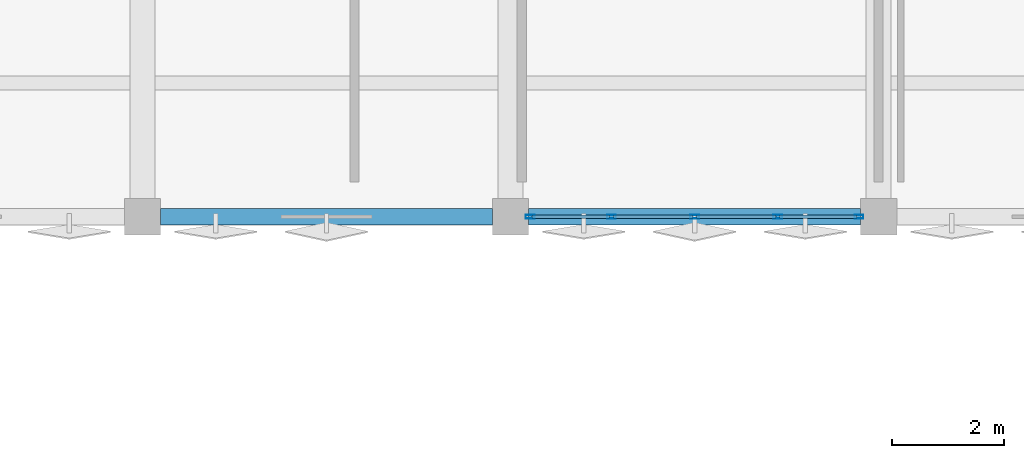
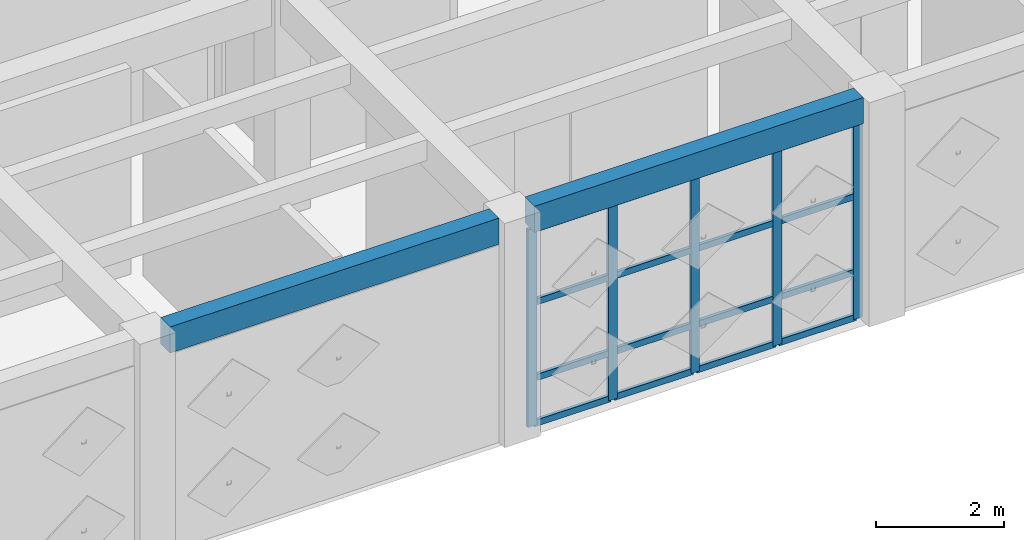
# One storey, part 20 of 48: 21 members, 2 beams, 1 element without a shape of its own.
"""IFC4 building model written with IfcOpenShell, lengths in metres."""

import ifcopenshell
import ifcopenshell.guid

model = None  # the IFC model being written
_history = None  # IfcOwnerHistory: only IFC2X3 demands one
_inside = {}  # id of a spatial element -> (the spatial element, [elements in it])
_under = {}  # id of a project, library or spatial element -> (it, [spatial elements below it])
_declared = {}  # id of a project -> (the project, [libraries it declares])
_typed = {}  # id of a type object -> (the type object, [elements of that type])
_made_of = {}  # id of a material, layer set ... -> (it, [elements and type objects made of it])


def new_model(schema):
    """Start an empty IFC model of exactly this schema.

    Asked for "IFC4X3", IfcOpenShell would pick the latest addendum, in which some entities
    have other attributes; the version numbers below select the first issue.
    IFC2X3 requires an IfcOwnerHistory on every rooted entity: one is made here for all.
    """
    global model, _history
    if schema == "IFC4X3":
        model = ifcopenshell.file(schema_version=(4, 3, 0, 0))
    else:
        model = ifcopenshell.file(schema=schema)
    _inside.clear()
    _under.clear()
    _declared.clear()
    _typed.clear()
    _made_of.clear()
    _history = None
    if model.schema == "IFC2X3":
        org = make("IfcOrganization", Name="unknown")
        user = make(
            "IfcPersonAndOrganization",
            ThePerson=make("IfcPerson", FamilyName="unknown"),
            TheOrganization=org,
        )
        app = make(
            "IfcApplication",
            ApplicationDeveloper=org,
            Version="unknown",
            ApplicationFullName="unknown",
            ApplicationIdentifier="unknown",
        )
        _history = make(
            "IfcOwnerHistory",
            OwningUser=user,
            OwningApplication=app,
            ChangeAction="ADDED",
            CreationDate=0,
        )
    return model


def make(cls, **values):
    """One entity of the class cls with the attributes given. An attribute that is None is left unset."""
    return model.create_entity(
        cls, **{name: value for name, value in values.items() if value is not None}
    )


def rooted(cls, **values):
    """An entity with a GlobalId (a new one), such as an element, a storey or a relation."""
    return make(cls, GlobalId=ifcopenshell.guid.new(), OwnerHistory=_history, **values)


def si_unit(unit_type, name, prefix=None):
    """IfcSIUnit, for example si_unit("LENGTHUNIT", "METRE", prefix="MILLI")."""
    return make("IfcSIUnit", UnitType=unit_type, Prefix=prefix, Name=name)


def assignment(units):
    """IfcUnitAssignment: the units of a project."""
    return None if units is None else make("IfcUnitAssignment", Units=units)


def point(xyz):
    """IfcCartesianPoint."""
    return None if xyz is None else make("IfcCartesianPoint", Coordinates=xyz)


def direction(xyz):
    """IfcDirection."""
    return None if xyz is None else make("IfcDirection", DirectionRatios=xyz)


def frame(location, z_axis=None, x_axis=None):
    """IfcAxis2Placement3D, a coordinate frame: its origin and axes. An axis left out is left unset."""
    return make(
        "IfcAxis2Placement3D",
        Location=point(location),
        Axis=direction(z_axis),
        RefDirection=direction(x_axis),
    )


def frame_2d(location, x_axis=None):
    """IfcAxis2Placement2D, a coordinate frame in the plane: its origin and x axis."""
    return make(
        "IfcAxis2Placement2D", Location=point(location), RefDirection=direction(x_axis)
    )


def origin():
    """The frame at (0, 0, 0) with its axes left unset."""
    return frame((0.0, 0.0, 0.0))


def origin_2d():
    """The frame at (0, 0) in the plane with its x axis left unset."""
    return frame_2d((0.0, 0.0))


def place(relative_to, where):
    """IfcLocalPlacement: puts the frame where relative to a parent placement (None: the world)."""
    return make(
        "IfcLocalPlacement", PlacementRelTo=relative_to, RelativePlacement=where
    )


def context(
    kind, dimensions, precision=None, world=None, true_north=None, identifier=None
):
    """IfcGeometricRepresentationContext, for example the 3D "Model" context."""
    return make(
        "IfcGeometricRepresentationContext",
        ContextIdentifier=identifier,
        ContextType=kind,
        CoordinateSpaceDimension=dimensions,
        Precision=precision,
        WorldCoordinateSystem=world,
        TrueNorth=true_north,
    )


def subcontext(parent, identifier, kind, view, scale=None):
    """IfcGeometricRepresentationSubContext, for example "Body" below "Model"."""
    return make(
        "IfcGeometricRepresentationSubContext",
        ContextIdentifier=identifier,
        ContextType=kind,
        ParentContext=parent,
        TargetScale=scale,
        TargetView=view,
    )


def project(units=None, contexts=None):
    """IfcProject with its units and contexts."""
    return rooted(
        "IfcProject",
        Name="project",
        RepresentationContexts=contexts,
        UnitsInContext=assignment(units),
    )


def spatial(cls, under=None, at=None, **own):
    """A site, building, storey or space (cls), placed at a placement, below another one or the project."""
    s = rooted(cls, ObjectPlacement=at, **own)
    if under is not None:
        _under.setdefault(under.id(), (under, []))[1].append(s)
    return s


def profile(cls, at=None, kind="AREA", **sizes):
    """A parametric profile (cls). Its sizes go by their IFC names, for example OverallWidth=200.0."""
    return make(cls, ProfileType=kind, Position=at, **sizes)


def rectangle(**sizes):
    """IfcRectangleProfileDef."""
    return profile("IfcRectangleProfileDef", **sizes)


def hollow_rectangle(**sizes):
    """IfcRectangleHollowProfileDef."""
    return profile("IfcRectangleHollowProfileDef", **sizes)


def extrude(swept, where, along, depth):
    """IfcExtrudedAreaSolid: the profile swept, set in the frame where, extruded along a direction by depth."""
    return make(
        "IfcExtrudedAreaSolid",
        SweptArea=swept,
        Position=where,
        ExtrudedDirection=direction(along),
        Depth=depth,
    )


def shape(context_of_items, identifier, shape_type, items):
    """IfcShapeRepresentation: the items that make up one representation, for example the "Body"."""
    return make(
        "IfcShapeRepresentation",
        ContextOfItems=context_of_items,
        RepresentationIdentifier=identifier,
        RepresentationType=shape_type,
        Items=items,
    )


def material(Name=None, Category=None):
    """IfcMaterial."""
    return make("IfcMaterial", Name=Name, Category=Category)


def layer(
    of_material, thickness, ventilated=None, Name=None, Category=None, Priority=None
):
    """IfcMaterialLayer: one layer of a wall or slab, of a material (None: an air gap)."""
    return make(
        "IfcMaterialLayer",
        Material=of_material,
        LayerThickness=thickness,
        IsVentilated=ventilated,
        Name=Name,
        Category=Category,
        Priority=Priority,
    )


def layer_set(layers, Name=None):
    """IfcMaterialLayerSet."""
    return make("IfcMaterialLayerSet", MaterialLayers=layers, LayerSetName=Name)


def material_profile(
    of_material, cross_section, Name=None, Category=None, Priority=None
):
    """IfcMaterialProfile: a cross section and its material."""
    return make(
        "IfcMaterialProfile",
        Name=Name,
        Material=of_material,
        Profile=cross_section,
        Priority=Priority,
        Category=Category,
    )


def profile_set(profiles, Name=None, composite=None):
    """IfcMaterialProfileSet."""
    return make(
        "IfcMaterialProfileSet",
        Name=Name,
        MaterialProfiles=profiles,
        CompositeProfile=composite,
    )


def made_of(thing, what):
    """Note that an element or type object is made of a material, layer set ...; save() writes the relation."""
    if what is not None:
        _made_of.setdefault(what.id(), (what, []))[1].append(thing)
    return thing


def type_object(cls, material=None, **own):
    """A type object (cls), such as IfcWallType, which elements share."""
    return made_of(rooted(cls, **own), material)


def element(
    cls,
    number,
    at=None,
    inside=None,
    cuts=None,
    type_object=None,
    material=None,
    context=None,
    identifier="Body",
    shape_type=None,
    held_by="IfcProductDefinitionShape",
    body=None,
    shapes=None,
    **own,
):
    """One element of the class cls, such as IfcWall. Its Tag is "e" and its number.

    at: its placement. inside: the storey or other place that contains it. cuts: it is an
    opening in that element (IfcRelVoidsElement). A single representation is given by context,
    identifier, shape_type and body (its items); several are given by shapes. held_by: the class
    of the entity that holds the representations. save() writes the other relations.
    """
    e = rooted(cls, Tag="e%d" % number, ObjectPlacement=at, **own)
    if body is not None:
        shapes = [shape(context, identifier, shape_type, body)]
    if shapes is not None:
        e.Representation = make(held_by, Representations=shapes)
    if inside is not None:
        _inside.setdefault(inside.id(), (inside, []))[1].append(e)
    if cuts is not None:
        rooted(
            "IfcRelVoidsElement", RelatingBuildingElement=cuts, RelatedOpeningElement=e
        )
    if type_object is not None:
        _typed.setdefault(type_object.id(), (type_object, []))[1].append(e)
    return made_of(e, material)


def aggregate(whole, parts):
    """IfcRelAggregates: a whole, such as a stair, and the parts it consists of."""
    return rooted("IfcRelAggregates", RelatingObject=whole, RelatedObjects=parts)


def save(model, path):
    """Write the relations noted so far, then the file.

    IfcRelAggregates (storeys below a building ...), IfcRelContainedInSpatialStructure (elements
    in a storey), IfcRelDefinesByType, IfcRelAssociatesMaterial and IfcRelDeclares: one each for
    every whole, place, type object, material and project.
    """
    for whole, parts in _under.values():
        aggregate(whole, parts)
    for where, things in _inside.values():
        rooted(
            "IfcRelContainedInSpatialStructure",
            RelatedElements=things,
            RelatingStructure=where,
        )
    for kind, things in _typed.values():
        rooted("IfcRelDefinesByType", RelatedObjects=things, RelatingType=kind)
    for what, things in _made_of.values():
        rooted("IfcRelAssociatesMaterial", RelatedObjects=things, RelatingMaterial=what)
    for by, libraries in _declared.values():
        rooted("IfcRelDeclares", RelatingContext=by, RelatedDefinitions=libraries)
    model.write(path)


model = new_model("IFC4")

# Units and contexts
model_context = context("Model", 3, precision=1e-05, world=origin(), true_north=direction((0.0, 1.0)))
body_context = subcontext(model_context, "Body", "Model", "MODEL_VIEW")
ifc_project = project(units=[si_unit("LENGTHUNIT", "METRE"), si_unit("AREAUNIT", "SQUARE_METRE"), si_unit("VOLUMEUNIT", "CUBIC_METRE"), si_unit("PLANEANGLEUNIT", "RADIAN"), si_unit("MASSUNIT", "GRAM", prefix="KILO")], contexts=[model_context])

# Site, building, storey
site_placement = place(None, origin())
site = spatial("IfcSite", under=ifc_project, at=site_placement, CompositionType="ELEMENT")
building_placement = place(site_placement, origin())
building = spatial("IfcBuilding", under=site, at=building_placement, Name="Kharisveld Research Institute", CompositionType="ELEMENT")
storey_placement = place(building_placement, frame((0.0, 0.0, 14.10009765625)))
storey = spatial("IfcBuildingStorey", under=building, at=storey_placement, Name="L03", CompositionType="ELEMENT", Elevation=14.10009765625)

# Curtain wall, members
ifc_material_1 = material(Name="Thermally Broken Aluminium Curtain Wall", Category="aluminium")
ifc_layer = layer(ifc_material_1, 0.159912109375)
ifc_layer_set = layer_set([ifc_layer], Name="CW_SYS_03")
curtain_wall_type = type_object("IfcCurtainWallType", Name="CW_SYS_03", PredefinedType="NOTDEFINED", material=ifc_layer_set)
curtain_wall_placement = place(storey_placement, origin())
curtain_wall = element("IfcCurtainWall", 1, at=curtain_wall_placement, inside=storey, type_object=curtain_wall_type, Name="CW:V2:L03:S4", PredefinedType="NOTDEFINED")
ifc_material_2 = material(Name="Anodised Aluminium AW-6063-T6", Category="aluminium")
ifc_material_profile_1 = material_profile(ifc_material_2, hollow_rectangle(XDim=0.06494140625, YDim=0.159912109375, WallThickness=0.00390625, at=origin_2d()))
ifc_profile_set_1 = profile_set([ifc_material_profile_1], Name="Anodised Aluminium AW-6063-T6")
member_type_1 = type_object("IfcMemberType", Name="CW_MUL_160", PredefinedType="MULLION", material=ifc_profile_set_1)
member_1_placement = place(storey_placement, frame((140.6474609375, 39.199951171875, 0.0), z_axis=(0.0, 0.0, 1.0), x_axis=(0.0, -1.0, 0.0)))
member_1 = element("IfcMember", 2, at=member_1_placement, type_object=member_type_1, Name="CW-03 mullion 1", PredefinedType="MULLION", context=body_context, shape_type="SweptSolid", body=[
    extrude(hollow_rectangle(XDim=0.06494140625, YDim=0.159912109375, WallThickness=0.00390625, at=origin_2d()), origin(), (0.0, 0.0, 1.0), 3.77978515625),
])
member_2_placement = place(storey_placement, frame((139.18994140625, 39.199951171875, 0.0), z_axis=(0.0, 0.0, 1.0), x_axis=(0.0, -1.0, 0.0)))
member_2 = element("IfcMember", 3, at=member_2_placement, type_object=member_type_1, Name="CW-03 mullion 2", PredefinedType="MULLION", context=body_context, shape_type="SweptSolid", body=[
    extrude(hollow_rectangle(XDim=0.06494140625, YDim=0.159912109375, WallThickness=0.00390625, at=origin_2d()), origin(), (0.0, 0.0, 1.0), 3.77978515625),
])
member_3_placement = place(storey_placement, frame((137.699951171875, 39.199951171875, 0.0), z_axis=(0.0, 0.0, 1.0), x_axis=(0.0, -1.0, 0.0)))
member_3 = element("IfcMember", 4, at=member_3_placement, type_object=member_type_1, Name="CW-03 mullion 3", PredefinedType="MULLION", context=body_context, shape_type="SweptSolid", body=[
    extrude(hollow_rectangle(XDim=0.06494140625, YDim=0.159912109375, WallThickness=0.00390625, at=origin_2d()), origin(), (0.0, 0.0, 1.0), 3.77978515625),
])
member_4_placement = place(storey_placement, frame((136.2099609375, 39.199951171875, 0.0), z_axis=(0.0, 0.0, 1.0), x_axis=(0.0, -1.0, 0.0)))
member_4 = element("IfcMember", 5, at=member_4_placement, type_object=member_type_1, Name="CW-03 mullion 4", PredefinedType="MULLION", context=body_context, shape_type="SweptSolid", body=[
    extrude(hollow_rectangle(XDim=0.06494140625, YDim=0.159912109375, WallThickness=0.00390625, at=origin_2d()), origin(), (0.0, 0.0, 1.0), 3.77978515625),
])
member_5_placement = place(storey_placement, frame((134.75244140625, 39.199951171875, 0.0), z_axis=(0.0, 0.0, 1.0), x_axis=(0.0, -1.0, 0.0)))
member_5 = element("IfcMember", 6, at=member_5_placement, type_object=member_type_1, Name="CW-03 mullion 5", PredefinedType="MULLION", context=body_context, shape_type="SweptSolid", body=[
    extrude(hollow_rectangle(XDim=0.06494140625, YDim=0.159912109375, WallThickness=0.00390625, at=origin_2d()), origin(), (0.0, 0.0, 1.0), 3.77978515625),
])
ifc_material_3 = material(Name="Anodised Aluminium AW-6063-T6", Category="aluminium")
ifc_material_profile_2 = material_profile(ifc_material_3, hollow_rectangle(XDim=0.06005859375, YDim=0.1201171875, WallThickness=0.00390625, at=origin_2d()))
ifc_profile_set_2 = profile_set([ifc_material_profile_2], Name="Anodised Aluminium AW-6063-T6")
member_type_2 = type_object("IfcMemberType", Name="CW_TRN_120", PredefinedType="USERDEFINED", material=ifc_profile_set_2)
member_6_placement = place(storey_placement, frame((140.614990234375, 39.199951171875, 0.02978515625), z_axis=(-1.0, 0.0, 0.0), x_axis=(0.0, -1.0, 0.0)))
member_6 = element("IfcMember", 7, at=member_6_placement, type_object=member_type_2, Name="CW-03 transom 1.1", ObjectType="TRANSOM", PredefinedType="USERDEFINED", context=body_context, shape_type="SweptSolid", body=[
    extrude(hollow_rectangle(XDim=0.06005859375, YDim=0.1201171875, WallThickness=0.00390625, at=origin_2d()), origin(), (0.0, 0.0, 1.0), 1.392578125),
])
member_7_placement = place(storey_placement, frame((140.614990234375, 39.199951171875, 0.89990234375), z_axis=(-1.0, 0.0, 0.0), x_axis=(0.0, -1.0, 0.0)))
member_7 = element("IfcMember", 8, at=member_7_placement, type_object=member_type_2, Name="CW-03 transom 1.2", ObjectType="TRANSOM", PredefinedType="USERDEFINED", context=body_context, shape_type="SweptSolid", body=[
    extrude(hollow_rectangle(XDim=0.06005859375, YDim=0.1201171875, WallThickness=0.00390625, at=origin_2d()), origin(), (0.0, 0.0, 1.0), 1.392578125),
])
member_8_placement = place(storey_placement, frame((140.614990234375, 39.199951171875, 2.349853515625), z_axis=(-1.0, 0.0, 0.0), x_axis=(0.0, -1.0, 0.0)))
member_8 = element("IfcMember", 9, at=member_8_placement, type_object=member_type_2, Name="CW-03 transom 1.3", ObjectType="TRANSOM", PredefinedType="USERDEFINED", context=body_context, shape_type="SweptSolid", body=[
    extrude(hollow_rectangle(XDim=0.06005859375, YDim=0.1201171875, WallThickness=0.00390625, at=origin_2d()), origin(), (0.0, 0.0, 1.0), 1.392578125),
])
member_9_placement = place(storey_placement, frame((140.614990234375, 39.199951171875, 3.75), z_axis=(-1.0, 0.0, 0.0), x_axis=(0.0, -1.0, 0.0)))
member_9 = element("IfcMember", 10, at=member_9_placement, type_object=member_type_2, Name="CW-03 transom 1.4", ObjectType="TRANSOM", PredefinedType="USERDEFINED", context=body_context, shape_type="SweptSolid", body=[
    extrude(hollow_rectangle(XDim=0.06005859375, YDim=0.1201171875, WallThickness=0.00390625, at=origin_2d()), origin(), (0.0, 0.0, 1.0), 1.392578125),
])
member_10_placement = place(storey_placement, frame((139.157470703125, 39.199951171875, 0.02978515625), z_axis=(-1.0, 0.0, 0.0), x_axis=(0.0, -1.0, 0.0)))
member_10 = element("IfcMember", 11, at=member_10_placement, type_object=member_type_2, Name="CW-03 transom 2.1", ObjectType="TRANSOM", PredefinedType="USERDEFINED", context=body_context, shape_type="SweptSolid", body=[
    extrude(hollow_rectangle(XDim=0.06005859375, YDim=0.1201171875, WallThickness=0.00390625, at=origin_2d()), origin(), (0.0, 0.0, 1.0), 1.425048828125),
])
member_11_placement = place(storey_placement, frame((139.157470703125, 39.199951171875, 0.89990234375), z_axis=(-1.0, 0.0, 0.0), x_axis=(0.0, -1.0, 0.0)))
member_11 = element("IfcMember", 12, at=member_11_placement, type_object=member_type_2, Name="CW-03 transom 2.2", ObjectType="TRANSOM", PredefinedType="USERDEFINED", context=body_context, shape_type="SweptSolid", body=[
    extrude(hollow_rectangle(XDim=0.06005859375, YDim=0.1201171875, WallThickness=0.00390625, at=origin_2d()), origin(), (0.0, 0.0, 1.0), 1.425048828125),
])
member_12_placement = place(storey_placement, frame((139.157470703125, 39.199951171875, 2.349853515625), z_axis=(-1.0, 0.0, 0.0), x_axis=(0.0, -1.0, 0.0)))
member_12 = element("IfcMember", 13, at=member_12_placement, type_object=member_type_2, Name="CW-03 transom 2.3", ObjectType="TRANSOM", PredefinedType="USERDEFINED", context=body_context, shape_type="SweptSolid", body=[
    extrude(hollow_rectangle(XDim=0.06005859375, YDim=0.1201171875, WallThickness=0.00390625, at=origin_2d()), origin(), (0.0, 0.0, 1.0), 1.425048828125),
])
member_13_placement = place(storey_placement, frame((139.157470703125, 39.199951171875, 3.75), z_axis=(-1.0, 0.0, 0.0), x_axis=(0.0, -1.0, 0.0)))
member_13 = element("IfcMember", 14, at=member_13_placement, type_object=member_type_2, Name="CW-03 transom 2.4", ObjectType="TRANSOM", PredefinedType="USERDEFINED", context=body_context, shape_type="SweptSolid", body=[
    extrude(hollow_rectangle(XDim=0.06005859375, YDim=0.1201171875, WallThickness=0.00390625, at=origin_2d()), origin(), (0.0, 0.0, 1.0), 1.425048828125),
])
member_14_placement = place(storey_placement, frame((137.66748046875, 39.199951171875, 0.02978515625), z_axis=(-1.0, 0.0, 0.0), x_axis=(0.0, -1.0, 0.0)))
member_14 = element("IfcMember", 15, at=member_14_placement, type_object=member_type_2, Name="CW-03 transom 3.1", ObjectType="TRANSOM", PredefinedType="USERDEFINED", context=body_context, shape_type="SweptSolid", body=[
    extrude(hollow_rectangle(XDim=0.06005859375, YDim=0.1201171875, WallThickness=0.00390625, at=origin_2d()), origin(), (0.0, 0.0, 1.0), 1.425048828125),
])
member_15_placement = place(storey_placement, frame((137.66748046875, 39.199951171875, 0.89990234375), z_axis=(-1.0, 0.0, 0.0), x_axis=(0.0, -1.0, 0.0)))
member_15 = element("IfcMember", 16, at=member_15_placement, type_object=member_type_2, Name="CW-03 transom 3.2", ObjectType="TRANSOM", PredefinedType="USERDEFINED", context=body_context, shape_type="SweptSolid", body=[
    extrude(hollow_rectangle(XDim=0.06005859375, YDim=0.1201171875, WallThickness=0.00390625, at=origin_2d()), origin(), (0.0, 0.0, 1.0), 1.425048828125),
])
member_16_placement = place(storey_placement, frame((137.66748046875, 39.199951171875, 2.349853515625), z_axis=(-1.0, 0.0, 0.0), x_axis=(0.0, -1.0, 0.0)))
member_16 = element("IfcMember", 17, at=member_16_placement, type_object=member_type_2, Name="CW-03 transom 3.3", ObjectType="TRANSOM", PredefinedType="USERDEFINED", context=body_context, shape_type="SweptSolid", body=[
    extrude(hollow_rectangle(XDim=0.06005859375, YDim=0.1201171875, WallThickness=0.00390625, at=origin_2d()), origin(), (0.0, 0.0, 1.0), 1.425048828125),
])
member_17_placement = place(storey_placement, frame((137.66748046875, 39.199951171875, 3.75), z_axis=(-1.0, 0.0, 0.0), x_axis=(0.0, -1.0, 0.0)))
member_17 = element("IfcMember", 18, at=member_17_placement, type_object=member_type_2, Name="CW-03 transom 3.4", ObjectType="TRANSOM", PredefinedType="USERDEFINED", context=body_context, shape_type="SweptSolid", body=[
    extrude(hollow_rectangle(XDim=0.06005859375, YDim=0.1201171875, WallThickness=0.00390625, at=origin_2d()), origin(), (0.0, 0.0, 1.0), 1.425048828125),
])
member_18_placement = place(storey_placement, frame((136.177490234375, 39.199951171875, 0.02978515625), z_axis=(-1.0, 0.0, 0.0), x_axis=(0.0, -1.0, 0.0)))
member_18 = element("IfcMember", 19, at=member_18_placement, type_object=member_type_2, Name="CW-03 transom 4.1", ObjectType="TRANSOM", PredefinedType="USERDEFINED", context=body_context, shape_type="SweptSolid", body=[
    extrude(hollow_rectangle(XDim=0.06005859375, YDim=0.1201171875, WallThickness=0.00390625, at=origin_2d()), origin(), (0.0, 0.0, 1.0), 1.392578125),
])
member_19_placement = place(storey_placement, frame((136.177490234375, 39.199951171875, 0.89990234375), z_axis=(-1.0, 0.0, 0.0), x_axis=(0.0, -1.0, 0.0)))
member_19 = element("IfcMember", 20, at=member_19_placement, type_object=member_type_2, Name="CW-03 transom 4.2", ObjectType="TRANSOM", PredefinedType="USERDEFINED", context=body_context, shape_type="SweptSolid", body=[
    extrude(hollow_rectangle(XDim=0.06005859375, YDim=0.1201171875, WallThickness=0.00390625, at=origin_2d()), origin(), (0.0, 0.0, 1.0), 1.392578125),
])
member_20_placement = place(storey_placement, frame((136.177490234375, 39.199951171875, 2.349853515625), z_axis=(-1.0, 0.0, 0.0), x_axis=(0.0, -1.0, 0.0)))
member_20 = element("IfcMember", 21, at=member_20_placement, type_object=member_type_2, Name="CW-03 transom 4.3", ObjectType="TRANSOM", PredefinedType="USERDEFINED", context=body_context, shape_type="SweptSolid", body=[
    extrude(hollow_rectangle(XDim=0.06005859375, YDim=0.1201171875, WallThickness=0.00390625, at=origin_2d()), origin(), (0.0, 0.0, 1.0), 1.392578125),
])
member_21_placement = place(storey_placement, frame((136.177490234375, 39.199951171875, 3.75), z_axis=(-1.0, 0.0, 0.0), x_axis=(0.0, -1.0, 0.0)))
member_21 = element("IfcMember", 22, at=member_21_placement, type_object=member_type_2, Name="CW-03 transom 4.4", ObjectType="TRANSOM", PredefinedType="USERDEFINED", context=body_context, shape_type="SweptSolid", body=[
    extrude(hollow_rectangle(XDim=0.06005859375, YDim=0.1201171875, WallThickness=0.00390625, at=origin_2d()), origin(), (0.0, 0.0, 1.0), 1.392578125),
])
aggregate(curtain_wall, [member_1, member_2, member_3, member_4, member_5, member_6, member_7, member_8, member_9, member_10, member_11, member_12, member_13, member_14, member_15, member_16, member_17, member_18, member_19, member_20, member_21])

# Beams
ifc_material_4 = material(Name="Concrete C40/50", Category="concrete")
ifc_material_profile_3 = material_profile(ifc_material_4, rectangle(XDim=0.300048828125, YDim=0.5, at=origin_2d()))
ifc_profile_set_3 = profile_set([ifc_material_profile_3], Name="Concrete C40/50")
beam_type = type_object("IfcBeamType", Name="SP_RC_300x500", PredefinedType="SPANDREL", material=ifc_profile_set_3)
for number, where, z_axis, x_axis, name in (
    (23, (128.125, 39.199951171875, 4.039794921875), (1.0, 0.0, 0.0), (0.0, 1.0, 0.0), "BM:V2:L03:U2_0"),
    (24, (134.72509765625, 39.199951171875, 4.039794921875), (1.0, 0.0, 0.0), (0.0, 1.0, 0.0), "BM:V2:L03:U3_0"),
):
    element("IfcBeam", number, at=place(storey_placement, frame(where, z_axis=z_axis, x_axis=x_axis)), inside=storey, type_object=beam_type, Name=name, PredefinedType="SPANDREL", context=body_context, shape_type="SweptSolid", body=[
        extrude(rectangle(XDim=0.300048828125, YDim=0.5, at=origin_2d()), origin(), (0.0, 0.0, 1.0), 5.949951171875),
    ])

save(model, "model.ifc")
